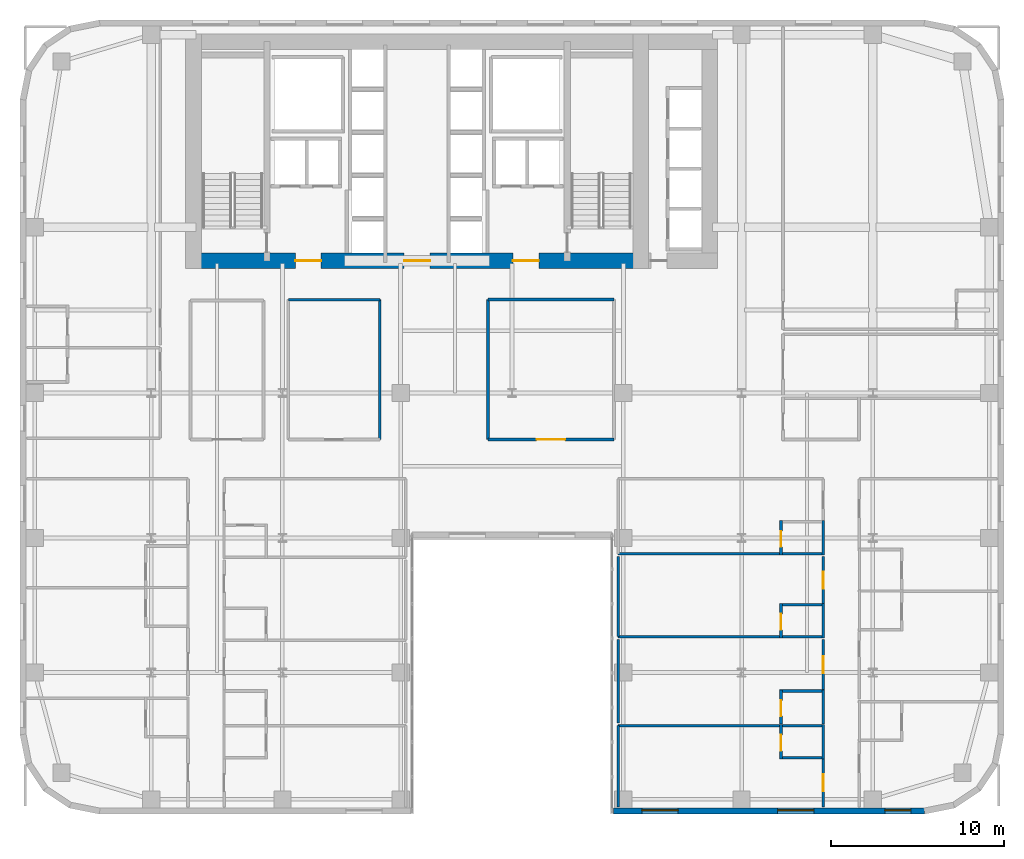
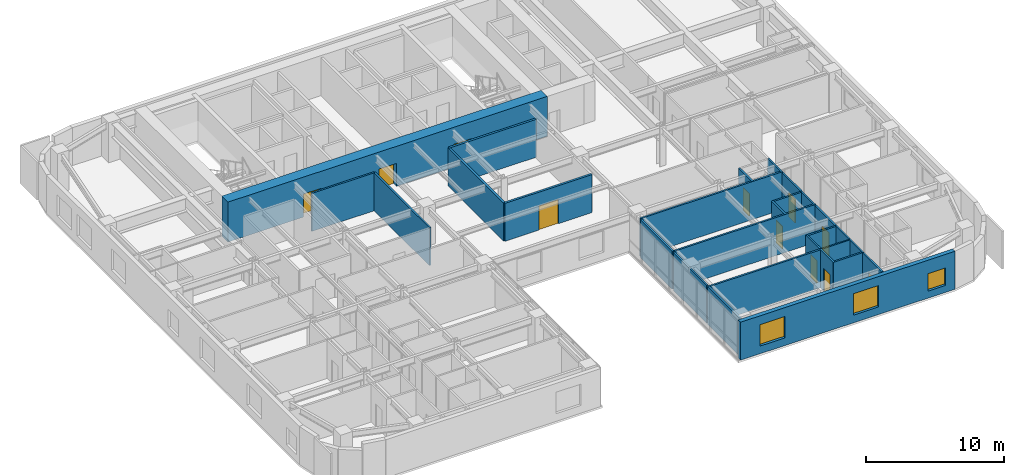
# One storey, part 12 of 17: 28 walls, 11 doors, 3 windows, 14 openings.
"""IFC4 building model written with IfcOpenShell, lengths in metres."""

import ifcopenshell
import ifcopenshell.guid

model = None  # the IFC model being written
_history = None  # IfcOwnerHistory: only IFC2X3 demands one
_inside = {}  # id of a spatial element -> (the spatial element, [elements in it])
_under = {}  # id of a project, library or spatial element -> (it, [spatial elements below it])
_declared = {}  # id of a project -> (the project, [libraries it declares])
_typed = {}  # id of a type object -> (the type object, [elements of that type])
_made_of = {}  # id of a material, layer set ... -> (it, [elements and type objects made of it])


def new_model(schema):
    """Start an empty IFC model of exactly this schema.

    Asked for "IFC4X3", IfcOpenShell would pick the latest addendum, in which some entities
    have other attributes; the version numbers below select the first issue.
    IFC2X3 requires an IfcOwnerHistory on every rooted entity: one is made here for all.
    """
    global model, _history
    if schema == "IFC4X3":
        model = ifcopenshell.file(schema_version=(4, 3, 0, 0))
    else:
        model = ifcopenshell.file(schema=schema)
    _inside.clear()
    _under.clear()
    _declared.clear()
    _typed.clear()
    _made_of.clear()
    _history = None
    if model.schema == "IFC2X3":
        org = make("IfcOrganization", Name="unknown")
        user = make(
            "IfcPersonAndOrganization",
            ThePerson=make("IfcPerson", FamilyName="unknown"),
            TheOrganization=org,
        )
        app = make(
            "IfcApplication",
            ApplicationDeveloper=org,
            Version="unknown",
            ApplicationFullName="unknown",
            ApplicationIdentifier="unknown",
        )
        _history = make(
            "IfcOwnerHistory",
            OwningUser=user,
            OwningApplication=app,
            ChangeAction="ADDED",
            CreationDate=0,
        )
    return model


def make(cls, **values):
    """One entity of the class cls with the attributes given. An attribute that is None is left unset."""
    return model.create_entity(
        cls, **{name: value for name, value in values.items() if value is not None}
    )


def rooted(cls, **values):
    """An entity with a GlobalId (a new one), such as an element, a storey or a relation."""
    return make(cls, GlobalId=ifcopenshell.guid.new(), OwnerHistory=_history, **values)


def si_unit(unit_type, name, prefix=None):
    """IfcSIUnit, for example si_unit("LENGTHUNIT", "METRE", prefix="MILLI")."""
    return make("IfcSIUnit", UnitType=unit_type, Prefix=prefix, Name=name)


def assignment(units):
    """IfcUnitAssignment: the units of a project."""
    return None if units is None else make("IfcUnitAssignment", Units=units)


def point(xyz):
    """IfcCartesianPoint."""
    return None if xyz is None else make("IfcCartesianPoint", Coordinates=xyz)


def direction(xyz):
    """IfcDirection."""
    return None if xyz is None else make("IfcDirection", DirectionRatios=xyz)


def frame(location, z_axis=None, x_axis=None):
    """IfcAxis2Placement3D, a coordinate frame: its origin and axes. An axis left out is left unset."""
    return make(
        "IfcAxis2Placement3D",
        Location=point(location),
        Axis=direction(z_axis),
        RefDirection=direction(x_axis),
    )


def frame_2d(location, x_axis=None):
    """IfcAxis2Placement2D, a coordinate frame in the plane: its origin and x axis."""
    return make(
        "IfcAxis2Placement2D", Location=point(location), RefDirection=direction(x_axis)
    )


def origin():
    """The frame at (0, 0, 0) with its axes left unset."""
    return frame((0.0, 0.0, 0.0))


def place(relative_to, where):
    """IfcLocalPlacement: puts the frame where relative to a parent placement (None: the world)."""
    return make(
        "IfcLocalPlacement", PlacementRelTo=relative_to, RelativePlacement=where
    )


def context(
    kind, dimensions, precision=None, world=None, true_north=None, identifier=None
):
    """IfcGeometricRepresentationContext, for example the 3D "Model" context."""
    return make(
        "IfcGeometricRepresentationContext",
        ContextIdentifier=identifier,
        ContextType=kind,
        CoordinateSpaceDimension=dimensions,
        Precision=precision,
        WorldCoordinateSystem=world,
        TrueNorth=true_north,
    )


def subcontext(parent, identifier, kind, view, scale=None):
    """IfcGeometricRepresentationSubContext, for example "Body" below "Model"."""
    return make(
        "IfcGeometricRepresentationSubContext",
        ContextIdentifier=identifier,
        ContextType=kind,
        ParentContext=parent,
        TargetScale=scale,
        TargetView=view,
    )


def project(units=None, contexts=None):
    """IfcProject with its units and contexts."""
    return rooted(
        "IfcProject",
        Name="project",
        RepresentationContexts=contexts,
        UnitsInContext=assignment(units),
    )


def spatial(cls, under=None, at=None, **own):
    """A site, building, storey or space (cls), placed at a placement, below another one or the project."""
    s = rooted(cls, ObjectPlacement=at, **own)
    if under is not None:
        _under.setdefault(under.id(), (under, []))[1].append(s)
    return s


def profile(cls, at=None, kind="AREA", **sizes):
    """A parametric profile (cls). Its sizes go by their IFC names, for example OverallWidth=200.0."""
    return make(cls, ProfileType=kind, Position=at, **sizes)


def rectangle(**sizes):
    """IfcRectangleProfileDef."""
    return profile("IfcRectangleProfileDef", **sizes)


def extrude(swept, where, along, depth):
    """IfcExtrudedAreaSolid: the profile swept, set in the frame where, extruded along a direction by depth."""
    return make(
        "IfcExtrudedAreaSolid",
        SweptArea=swept,
        Position=where,
        ExtrudedDirection=direction(along),
        Depth=depth,
    )


def shape(context_of_items, identifier, shape_type, items):
    """IfcShapeRepresentation: the items that make up one representation, for example the "Body"."""
    return make(
        "IfcShapeRepresentation",
        ContextOfItems=context_of_items,
        RepresentationIdentifier=identifier,
        RepresentationType=shape_type,
        Items=items,
    )


def source(mapping_origin, context_of_items, identifier, shape_type, items):
    """IfcRepresentationMap: a shape defined once, which mapped items show again and again."""
    return make(
        "IfcRepresentationMap",
        MappingOrigin=mapping_origin,
        MappedRepresentation=shape(context_of_items, identifier, shape_type, items),
    )


def transform(
    local_origin,
    x_axis=None,
    y_axis=None,
    z_axis=None,
    scale=None,
    scale2=None,
    scale3=None,
    uniform=True,
):
    """IfcCartesianTransformationOperator3D, or its non-uniform kind. x_axis, y_axis, z_axis: its Axis1, 2, 3."""
    if uniform:
        return make(
            "IfcCartesianTransformationOperator3D",
            Axis1=direction(x_axis),
            Axis2=direction(y_axis),
            LocalOrigin=point(local_origin),
            Scale=scale,
            Axis3=direction(z_axis),
        )
    return make(
        "IfcCartesianTransformationOperator3DnonUniform",
        Axis1=direction(x_axis),
        Axis2=direction(y_axis),
        LocalOrigin=point(local_origin),
        Scale=scale,
        Axis3=direction(z_axis),
        Scale2=scale2,
        Scale3=scale3,
    )


def mapped(mapping_source, mapping_target):
    """IfcMappedItem: shows the shape of a source again, moved by a transform."""
    return make(
        "IfcMappedItem", MappingSource=mapping_source, MappingTarget=mapping_target
    )


def material(Name=None, Category=None):
    """IfcMaterial."""
    return make("IfcMaterial", Name=Name, Category=Category)


def layer(
    of_material, thickness, ventilated=None, Name=None, Category=None, Priority=None
):
    """IfcMaterialLayer: one layer of a wall or slab, of a material (None: an air gap)."""
    return make(
        "IfcMaterialLayer",
        Material=of_material,
        LayerThickness=thickness,
        IsVentilated=ventilated,
        Name=Name,
        Category=Category,
        Priority=Priority,
    )


def layer_set(layers, Name=None):
    """IfcMaterialLayerSet."""
    return make("IfcMaterialLayerSet", MaterialLayers=layers, LayerSetName=Name)


def made_of(thing, what):
    """Note that an element or type object is made of a material, layer set ...; save() writes the relation."""
    if what is not None:
        _made_of.setdefault(what.id(), (what, []))[1].append(thing)
    return thing


def type_object(cls, material=None, **own):
    """A type object (cls), such as IfcWallType, which elements share."""
    return made_of(rooted(cls, **own), material)


def type_shapes(of_type, sources):
    """Give a type object the sources (RepresentationMaps) that its elements show as mapped items."""
    of_type.RepresentationMaps = sources


def element(
    cls,
    number,
    at=None,
    inside=None,
    cuts=None,
    type_object=None,
    material=None,
    context=None,
    identifier="Body",
    shape_type=None,
    held_by="IfcProductDefinitionShape",
    body=None,
    shapes=None,
    **own,
):
    """One element of the class cls, such as IfcWall. Its Tag is "e" and its number.

    at: its placement. inside: the storey or other place that contains it. cuts: it is an
    opening in that element (IfcRelVoidsElement). A single representation is given by context,
    identifier, shape_type and body (its items); several are given by shapes. held_by: the class
    of the entity that holds the representations. save() writes the other relations.
    """
    e = rooted(cls, Tag="e%d" % number, ObjectPlacement=at, **own)
    if body is not None:
        shapes = [shape(context, identifier, shape_type, body)]
    if shapes is not None:
        e.Representation = make(held_by, Representations=shapes)
    if inside is not None:
        _inside.setdefault(inside.id(), (inside, []))[1].append(e)
    if cuts is not None:
        rooted(
            "IfcRelVoidsElement", RelatingBuildingElement=cuts, RelatedOpeningElement=e
        )
    if type_object is not None:
        _typed.setdefault(type_object.id(), (type_object, []))[1].append(e)
    return made_of(e, material)


def fill(opening, filler):
    """IfcRelFillsElement: the door or window that sits in an opening."""
    return rooted(
        "IfcRelFillsElement",
        RelatingOpeningElement=opening,
        RelatedBuildingElement=filler,
    )


def aggregate(whole, parts):
    """IfcRelAggregates: a whole, such as a stair, and the parts it consists of."""
    return rooted("IfcRelAggregates", RelatingObject=whole, RelatedObjects=parts)


def save(model, path):
    """Write the relations noted so far, then the file.

    IfcRelAggregates (storeys below a building ...), IfcRelContainedInSpatialStructure (elements
    in a storey), IfcRelDefinesByType, IfcRelAssociatesMaterial and IfcRelDeclares: one each for
    every whole, place, type object, material and project.
    """
    for whole, parts in _under.values():
        aggregate(whole, parts)
    for where, things in _inside.values():
        rooted(
            "IfcRelContainedInSpatialStructure",
            RelatedElements=things,
            RelatingStructure=where,
        )
    for kind, things in _typed.values():
        rooted("IfcRelDefinesByType", RelatedObjects=things, RelatingType=kind)
    for what, things in _made_of.values():
        rooted("IfcRelAssociatesMaterial", RelatedObjects=things, RelatingMaterial=what)
    for by, libraries in _declared.values():
        rooted("IfcRelDeclares", RelatingContext=by, RelatedDefinitions=libraries)
    model.write(path)


model = new_model("IFC4")

# Units and contexts
model_context = context("Model", 3, precision=1e-05, world=origin(), true_north=direction((0.0, 1.0)))
body_context = subcontext(model_context, "Body", "Model", "MODEL_VIEW")
ifc_project = project(units=[si_unit("LENGTHUNIT", "METRE"), si_unit("AREAUNIT", "SQUARE_METRE"), si_unit("VOLUMEUNIT", "CUBIC_METRE"), si_unit("PLANEANGLEUNIT", "RADIAN"), si_unit("MASSUNIT", "GRAM", prefix="KILO")], contexts=[model_context])

# Site, building, storey
site_placement = place(None, origin())
site = spatial("IfcSite", under=ifc_project, at=site_placement, CompositionType="ELEMENT")
building_placement = place(site_placement, origin())
building = spatial("IfcBuilding", under=site, at=building_placement, Name="Tolvann Quenvar Hotel", CompositionType="ELEMENT")
storey_placement = place(building_placement, frame((0.0, 0.0, 42.64990234375)))
storey = spatial("IfcBuildingStorey", under=building, at=storey_placement, Name="L09", CompositionType="ELEMENT", Elevation=42.64990234375)

# Wall, openings, doors
ifc_material_1 = material(Name="Concrete S80 (80 MPa)", Category="concrete")
ifc_layer_1 = layer(ifc_material_1, 0.89990234375)
ifc_layer_set_1 = layer_set([ifc_layer_1], Name="Concrete S80 (80 MPa)")
wall_type_1 = type_object("IfcWallType", Name="WALL_CORE_900", PredefinedType="SHEAR", material=ifc_layer_set_1)
wall_1_placement = place(storey_placement, frame((9.60009765625, 32.050048828125, 0.0), z_axis=(0.0, 0.0, 1.0), x_axis=(1.0, 0.0, 0.0)))
wall_1 = element("IfcWall", 1, at=wall_1_placement, inside=storey, type_object=wall_type_1, Name="Rear Core S Shear Wall (L09)", PredefinedType="SHEAR", context=body_context, shape_type="SweptSolid", body=[
    extrude(rectangle(XDim=26.7998046875, YDim=0.89990234375, at=frame_2d((13.39990234375, 0.0))), origin(), (0.0, 0.0, 1.0), 3.550048828125),
])
opening_1_placement = place(wall_1_placement, frame((7.85009765625, 0.0, 0.0), z_axis=(0.0, 0.0, 1.0), x_axis=(-1.0, 0.0, 0.0)))
opening_1 = element("IfcOpeningElement", 2, at=opening_1_placement, cuts=wall_1, Name="Opening FD-60D", PredefinedType="OPENING", context=body_context, shape_type="SweptSolid", body=[
    extrude(rectangle(XDim=1.5, YDim=2.0400390625, at=frame_2d((0.75, 1.02001953125))), frame((0.0, 0.4599609375, 0.0), z_axis=(0.0, -1.0, 0.0), x_axis=(1.0, 0.0, 0.0)), (0.0, 0.0, 1.0), 0.919921875),
])
opening_2_placement = place(wall_1_placement, frame((14.14990234375, 0.0, 0.0), z_axis=(0.0, 0.0, 1.0), x_axis=(-1.0, 0.0, 0.0)))
opening_2 = element("IfcOpeningElement", 3, at=opening_2_placement, cuts=wall_1, Name="Opening FD-60D", PredefinedType="OPENING", context=body_context, shape_type="SweptSolid", body=[
    extrude(rectangle(XDim=1.5, YDim=2.0400390625, at=frame_2d((0.75, 1.02001953125))), frame((0.0, 0.4599609375, 0.0), z_axis=(0.0, -1.0, 0.0), x_axis=(1.0, 0.0, 0.0)), (0.0, 0.0, 1.0), 0.919921875),
])
opening_3_placement = place(wall_1_placement, frame((20.449951171875, 0.0, 0.0), z_axis=(0.0, 0.0, 1.0), x_axis=(-1.0, 0.0, 0.0)))
opening_3 = element("IfcOpeningElement", 4, at=opening_3_placement, cuts=wall_1, Name="Opening FD-60D", PredefinedType="OPENING", context=body_context, shape_type="SweptSolid", body=[
    extrude(rectangle(XDim=1.5, YDim=2.0400390625, at=frame_2d((0.75, 1.02001953125))), frame((0.0, 0.4599609375, 0.0), z_axis=(0.0, -1.0, 0.0), x_axis=(1.0, 0.0, 0.0)), (0.0, 0.0, 1.0), 0.919921875),
])
ifc_material_2 = material(Name="Solid-core American oak acoustic fire door leaf in steel frame", Category="steel")
door_type_1 = type_object("IfcDoorType", Name="DOOR_FIRE_LOBBY_1500", OperationType="NOTDEFINED", PredefinedType="DOOR", material=ifc_material_2)
shared_shape_1 = source(origin(), body_context, "Body", "SweptSolid", [
    extrude(rectangle(XDim=1.5, YDim=2.0400390625, at=frame_2d((0.75, 1.02001953125))), frame((0.0, 0.02490234375, 0.0), z_axis=(0.0, -1.0, 0.0), x_axis=(1.0, 0.0, 0.0)), (0.0, 0.0, 1.0), 0.050048828125),
])
type_shapes(door_type_1, [shared_shape_1])
door_1_placement = place(opening_1_placement, origin())
door_1 = element("IfcDoor", 5, at=door_1_placement, inside=storey, type_object=door_type_1, Name="Core Lobby Fire Door FFW (L09)", OperationType="DOUBLE_DOOR_SINGLE_SWING", OverallHeight=2.0400390625, OverallWidth=1.5, PredefinedType="DOOR", context=body_context, shape_type="MappedRepresentation", body=[
    mapped(shared_shape_1, transform((0.0, 0.0, 0.0), x_axis=(1.0, 0.0, 0.0), y_axis=(0.0, 1.0, 0.0), z_axis=(0.0, 0.0, 1.0), scale=1.0)),
])
fill(opening_1, door_1)
door_2_placement = place(opening_2_placement, origin())
door_2 = element("IfcDoor", 6, at=door_2_placement, inside=storey, type_object=door_type_1, Name="Core Lobby Fire Door CLOB (L09)", OperationType="DOUBLE_DOOR_SINGLE_SWING", OverallHeight=2.0400390625, OverallWidth=1.5, PredefinedType="DOOR", context=body_context, shape_type="MappedRepresentation", body=[
    mapped(shared_shape_1, transform((0.0, 0.0, 0.0), x_axis=(1.0, 0.0, 0.0), y_axis=(0.0, 1.0, 0.0), z_axis=(0.0, 0.0, 1.0), scale=1.0)),
])
fill(opening_2, door_2)
door_3_placement = place(opening_3_placement, origin())
door_3 = element("IfcDoor", 7, at=door_3_placement, inside=storey, type_object=door_type_1, Name="Core Lobby Fire Door FFE (L09)", OperationType="DOUBLE_DOOR_SINGLE_SWING", OverallHeight=2.0400390625, OverallWidth=1.5, PredefinedType="DOOR", context=body_context, shape_type="MappedRepresentation", body=[
    mapped(shared_shape_1, transform((0.0, 0.0, 0.0), x_axis=(1.0, 0.0, 0.0), y_axis=(0.0, 1.0, 0.0), z_axis=(0.0, 0.0, 1.0), scale=1.0)),
])
fill(opening_3, door_3)

# Wall, openings, windows
ifc_material_3 = material(Name="Kiln-fired red and buff architectural clay brickwork and terracotta masonry", Category="masonry")
ifc_layer_2 = layer(ifc_material_3, 0.35009765625)
ifc_layer_set_2 = layer_set([ifc_layer_2], Name="Kiln-fired red and buff architectural clay brickwork and terracotta masonry")
wall_type_2 = type_object("IfcWallType", Name="WALL_EXT_BRICK_350", PredefinedType="SOLIDWALL", material=ifc_layer_set_2)
wall_2_placement = place(storey_placement, frame((34.375, 0.175048828125, 0.0), z_axis=(0.0, 0.0, 1.0), x_axis=(1.0, 0.0, 0.0)))
wall_2 = element("IfcWall", 8, at=wall_2_placement, inside=storey, type_object=wall_type_2, Name="Exterior Chicago Brick Wall L09-E08", PredefinedType="SOLIDWALL", context=body_context, shape_type="SweptSolid", body=[
    extrude(rectangle(XDim=18.0078125, YDim=0.35009765625, at=frame_2d((9.00390625, 0.0))), origin(), (0.0, 0.0, 1.0), 3.3701171875),
])
opening_4_placement = place(wall_2_placement, frame((1.65087890625, 0.0, 0.679931640625)))
opening_4 = element("IfcOpeningElement", 9, at=opening_4_placement, cuts=wall_2, Name="Opening W-02", PredefinedType="OPENING", context=body_context, shape_type="SweptSolid", body=[
    extrude(rectangle(XDim=2.10009765625, YDim=1.89990234375, at=frame_2d((1.050048828125, 0.949951171875))), frame((0.0, 0.18505859375, 0.0), z_axis=(0.0, -1.0, 0.0), x_axis=(1.0, 0.0, 0.0)), (0.0, 0.0, 1.0), 0.3701171875),
])
opening_5_placement = place(wall_2_placement, frame((9.5048828125, 0.0, 0.679931640625)))
opening_5 = element("IfcOpeningElement", 10, at=opening_5_placement, cuts=wall_2, Name="Opening W-02", PredefinedType="OPENING", context=body_context, shape_type="SweptSolid", body=[
    extrude(rectangle(XDim=2.10009765625, YDim=1.89990234375, at=frame_2d((1.050048828125, 0.949951171875))), frame((0.0, 0.18505859375, 0.0), z_axis=(0.0, -1.0, 0.0), x_axis=(1.0, 0.0, 0.0)), (0.0, 0.0, 1.0), 0.3701171875),
])
opening_6_placement = place(wall_2_placement, frame((15.72509765625, 0.0, 0.6201171875)))
opening_6 = element("IfcOpeningElement", 11, at=opening_6_placement, cuts=wall_2, Name="Opening W-08", PredefinedType="OPENING", context=body_context, shape_type="SweptSolid", body=[
    extrude(rectangle(XDim=1.5, YDim=1.550048828125, at=frame_2d((0.75, 0.77490234375))), frame((0.0, 0.18505859375, 0.0), z_axis=(0.0, -1.0, 0.0), x_axis=(1.0, 0.0, 0.0)), (0.0, 0.0, 1.0), 0.3701171875),
])
ifc_material_4 = material(Name="Thermally broken bronze-anodised aluminium frame with double low-E glazing", Category="aluminium")
window_type_1 = type_object("IfcWindowType", Name="WIN_COR_1500x2050", PartitioningType="SINGLE_PANEL", PredefinedType="WINDOW", material=ifc_material_4)
shared_shape_2 = source(origin(), body_context, "Body", "SweptSolid", [
    extrude(rectangle(XDim=1.5, YDim=1.550048828125, at=frame_2d((0.75, 0.77490234375))), frame((0.0, 0.090087890625, 0.0), z_axis=(0.0, -1.0, 0.0), x_axis=(1.0, 0.0, 0.0)), (0.0, 0.0, 1.0), 0.06005859375),
])
type_shapes(window_type_1, [shared_shape_2])
window_1_placement = place(opening_6_placement, origin())
window_1 = element("IfcWindow", 12, at=window_1_placement, inside=storey, type_object=window_type_1, Name="Chicago Window W-08 (EW-L09-E08-WD03)", OverallHeight=1.550048828125, OverallWidth=1.5, PartitioningType="SINGLE_PANEL", PredefinedType="WINDOW", context=body_context, shape_type="MappedRepresentation", body=[
    mapped(shared_shape_2, transform((0.0, 0.0, 0.0), x_axis=(1.0, 0.0, 0.0), y_axis=(0.0, 1.0, 0.0), z_axis=(0.0, 0.0, 1.0), scale=1.0)),
])
fill(opening_6, window_1)
window_type_2 = type_object("IfcWindowType", Name="WIN_CHI_2100x2050", PartitioningType="TRIPLE_PANEL_HORIZONTAL", PredefinedType="WINDOW", material=ifc_material_4)
shared_shape_3 = source(origin(), body_context, "Body", "SweptSolid", [
    extrude(rectangle(XDim=2.10009765625, YDim=1.89990234375, at=frame_2d((1.050048828125, 0.949951171875))), frame((0.0, 0.090087890625, 0.0), z_axis=(0.0, -1.0, 0.0), x_axis=(1.0, 0.0, 0.0)), (0.0, 0.0, 1.0), 0.06005859375),
])
type_shapes(window_type_2, [shared_shape_3])
window_2_placement = place(opening_4_placement, origin())
window_2 = element("IfcWindow", 13, at=window_2_placement, inside=storey, type_object=window_type_2, Name="Chicago Window W-02 (EW-L09-E08-W01)", OverallHeight=1.89990234375, OverallWidth=2.10009765625, PartitioningType="TRIPLE_PANEL_HORIZONTAL", PredefinedType="WINDOW", context=body_context, shape_type="MappedRepresentation", body=[
    mapped(shared_shape_3, transform((0.0, 0.0, 0.0), x_axis=(1.0, 0.0, 0.0), y_axis=(0.0, 1.0, 0.0), z_axis=(0.0, 0.0, 1.0), scale=1.0)),
])
fill(opening_4, window_2)
window_3_placement = place(opening_5_placement, origin())
window_3 = element("IfcWindow", 14, at=window_3_placement, inside=storey, type_object=window_type_2, Name="Chicago Window W-02 (EW-L09-E08-W02)", OverallHeight=1.89990234375, OverallWidth=2.10009765625, PartitioningType="TRIPLE_PANEL_HORIZONTAL", PredefinedType="WINDOW", context=body_context, shape_type="MappedRepresentation", body=[
    mapped(shared_shape_3, transform((0.0, 0.0, 0.0), x_axis=(1.0, 0.0, 0.0), y_axis=(0.0, 1.0, 0.0), z_axis=(0.0, 0.0, 1.0), scale=1.0)),
])
fill(opening_5, window_3)

# Wall, opening, door
ifc_material_5 = material(Name="Acoustic twin-stud fire-rated gypsum plasterboard partition")
ifc_layer_3 = layer(ifc_material_5, 0.179931640625)
ifc_layer_set_3 = layer_set([ifc_layer_3], Name="Acoustic twin-stud fire-rated gypsum plasterboard partition")
wall_type_3 = type_object("IfcWallType", Name="WALL_PART_ACOUSTIC_180", PredefinedType="PARTITIONING", material=ifc_layer_set_3)
wall_3_placement = place(storey_placement, frame((27.10009765625, 21.699951171875, 0.0), z_axis=(0.0, 0.0, 1.0), x_axis=(1.0, 0.0, 0.0)))
wall_3 = element("IfcWall", 15, at=wall_3_placement, inside=storey, type_object=wall_type_3, Name="Interior Partition PT-SPC-L09-MSP-C-S", PredefinedType="PARTITIONING", context=body_context, shape_type="SweptSolid", body=[
    extrude(rectangle(XDim=7.2998046875, YDim=0.179931640625, at=frame_2d((3.64990234375, 0.0))), origin(), (0.0, 0.0, 1.0), 3.3701171875),
])
opening_7_placement = place(wall_3_placement, frame((2.824951171875, 0.0, 0.0)))
opening_7 = element("IfcOpeningElement", 16, at=opening_7_placement, cuts=wall_3, Name="Opening AD-01", PredefinedType="OPENING", context=body_context, shape_type="SweptSolid", body=[
    extrude(rectangle(XDim=1.64990234375, YDim=2.14990234375, at=frame_2d((0.824951171875, 1.074951171875))), frame((0.0, 0.10009765625, 0.0), z_axis=(0.0, -1.0, 0.0), x_axis=(1.0, 0.0, 0.0)), (0.0, 0.0, 1.0), 0.199951171875),
])
door_type_2 = type_object("IfcDoorType", Name="DOOR_SALON_1650", OperationType="NOTDEFINED", PredefinedType="DOOR", material=ifc_material_2)
shared_shape_4 = source(origin(), body_context, "Body", "SweptSolid", [
    extrude(rectangle(XDim=1.64990234375, YDim=2.14990234375, at=frame_2d((0.824951171875, 1.074951171875))), frame((0.0, 0.02490234375, 0.0), z_axis=(0.0, -1.0, 0.0), x_axis=(1.0, 0.0, 0.0)), (0.0, 0.0, 1.0), 0.050048828125),
])
type_shapes(door_type_2, [shared_shape_4])
door_4_placement = place(opening_7_placement, origin())
door_4 = element("IfcDoor", 17, at=door_4_placement, inside=storey, type_object=door_type_2, Name="Interior Door DOOR-SPC-L09-MSP-C", OperationType="DOUBLE_DOOR_SINGLE_SWING", OverallHeight=2.14990234375, OverallWidth=1.64990234375, PredefinedType="DOOR", context=body_context, shape_type="MappedRepresentation", body=[
    mapped(shared_shape_4, transform((0.0, 0.0, 0.0), x_axis=(1.0, 0.0, 0.0), y_axis=(0.0, 1.0, 0.0), z_axis=(0.0, 0.0, 1.0), scale=1.0)),
])
fill(opening_7, door_4)

# Walls
wall_4_placement = place(storey_placement, frame((27.10009765625, 29.800048828125, 0.0), z_axis=(0.0, 0.0, 1.0), x_axis=(1.0, 0.0, 0.0)))
element("IfcWall", 18, at=wall_4_placement, inside=storey, type_object=wall_type_3, Name="Interior Partition PT-SPC-L09-MSP-C-N", PredefinedType="PARTITIONING", context=body_context, shape_type="SweptSolid", body=[
    extrude(rectangle(XDim=7.2998046875, YDim=0.179931640625, at=frame_2d((3.64990234375, 0.0))), origin(), (0.0, 0.0, 1.0), 3.3701171875),
])
wall_5_placement = place(storey_placement, frame((27.10009765625, 21.699951171875, 0.0), z_axis=(0.0, 0.0, 1.0), x_axis=(0.0, 1.0, 0.0)))
element("IfcWall", 19, at=wall_5_placement, inside=storey, type_object=wall_type_3, Name="Interior Partition PT-SPC-L09-MSP-C-W", PredefinedType="PARTITIONING", context=body_context, shape_type="SweptSolid", body=[
    extrude(rectangle(XDim=8.10009765625, YDim=0.179931640625, at=frame_2d((4.050048828125, 0.0))), origin(), (0.0, 0.0, 1.0), 3.3701171875),
])
ifc_material_6 = material(Name="Moisture-resistant acoustic plumbing wall assembly")
ifc_layer_4 = layer(ifc_material_6, 0.1201171875)
ifc_layer_set_4 = layer_set([ifc_layer_4], Name="Moisture-resistant acoustic plumbing wall assembly")
wall_type_4 = type_object("IfcWallType", Name="WALL_PART_BATH_120", PredefinedType="PLUMBINGWALL", material=ifc_layer_set_4)
wall_6_placement = place(storey_placement, frame((44.010009765625, 5.1201171875, 0.0), z_axis=(0.0, 0.0, 1.0), x_axis=(1.0, 0.0, 0.0)))
element("IfcWall", 20, at=wall_6_placement, inside=storey, type_object=wall_type_4, Name="Non-Rated Plumbing Partition PT-SPC-L09-ENS-EI01-N", PredefinedType="PLUMBINGWALL", context=body_context, shape_type="SweptSolid", body=[
    extrude(rectangle(XDim=2.590087890625, YDim=0.1201171875, at=frame_2d((1.294921875, 0.0))), origin(), (0.0, 0.0, 1.0), 3.3701171875),
])
for number, where, z_axis, x_axis, name in (
    (21, (46.530029296875, 3.199951171875, 0.0), (0.0, 0.0, 1.0), (0.0, 1.0, 0.0), "Non-Rated Plumbing Partition PT-SPC-L09-ENS-EI01-E"),
    (22, (46.530029296875, 5.2099609375, 0.0), (0.0, 0.0, 1.0), (0.0, 1.0, 0.0), "Non-Rated Plumbing Partition PT-SPC-L09-ENS-EI02-E"),
    (23, (46.530029296875, 10.2099609375, 0.0), (0.0, 0.0, 1.0), (0.0, 1.0, 0.0), "Non-Rated Plumbing Partition PT-SPC-L09-ENS-EI03-E"),
    (24, (46.530029296875, 15.010009765625, 0.0), (0.0, 0.0, 1.0), (0.0, 1.0, 0.0), "Non-Rated Plumbing Partition PT-SPC-L09-ENS-EI04-E"),
):
    element("IfcWall", number, at=place(storey_placement, frame(where, z_axis=z_axis, x_axis=x_axis)), inside=storey, type_object=wall_type_4, Name=name, PredefinedType="PLUMBINGWALL", context=body_context, shape_type="SweptSolid", body=[
        extrude(rectangle(XDim=1.989990234375, YDim=0.1201171875, at=frame_2d((0.9951171875, 0.0))), origin(), (0.0, 0.0, 1.0), 3.3701171875),
    ])

# Wall, opening, door
ifc_layer_5 = layer(ifc_material_5, 0.14990234375)
ifc_layer_set_5 = layer_set([ifc_layer_5], Name="Acoustic twin-stud fire-rated gypsum plasterboard partition")
wall_type_5 = type_object("IfcWallType", Name="WALL_PART_SUITE_150", PredefinedType="PARTITIONING", material=ifc_layer_set_5)
wall_7_placement = place(storey_placement, frame((44.080078125, 3.199951171875, 0.0), z_axis=(0.0, 0.0, 1.0), x_axis=(0.0, 1.0, 0.0)))
wall_7 = element("IfcWall", 25, at=wall_7_placement, inside=storey, type_object=wall_type_5, Name="Interior Partition PT-SPC-L09-ENS-EI01-ENT", PredefinedType="PARTITIONING", context=body_context, shape_type="SweptSolid", body=[
    extrude(rectangle(XDim=1.989990234375, YDim=0.14990234375, at=frame_2d((0.9951171875, 0.0))), origin(), (0.0, 0.0, 1.0), 3.3701171875),
])
opening_8_placement = place(wall_7_placement, frame((0.465087890625, 0.0, 0.0)))
opening_8 = element("IfcOpeningElement", 26, at=opening_8_placement, cuts=wall_7, Name="Opening WD-01", PredefinedType="OPENING", context=body_context, shape_type="SweptSolid", body=[
    extrude(rectangle(XDim=0.919921875, YDim=2.010009765625, at=frame_2d((0.4599609375, 1.0048828125))), frame((0.0, 0.0849609375, 0.0), z_axis=(0.0, -1.0, 0.0), x_axis=(1.0, 0.0, 0.0)), (0.0, 0.0, 1.0), 0.169921875),
])
door_type_3 = type_object("IfcDoorType", Name="DOOR_WC_920", OperationType="NOTDEFINED", PredefinedType="DOOR", material=ifc_material_2)
shared_shape_5 = source(origin(), body_context, "Body", "SweptSolid", [
    extrude(rectangle(XDim=0.919921875, YDim=2.010009765625, at=frame_2d((0.4599609375, 1.0048828125))), frame((0.0, 0.02490234375, 0.0), z_axis=(0.0, -1.0, 0.0), x_axis=(1.0, 0.0, 0.0)), (0.0, 0.0, 1.0), 0.050048828125),
])
type_shapes(door_type_3, [shared_shape_5])
door_5_placement = place(opening_8_placement, origin())
door_5 = element("IfcDoor", 27, at=door_5_placement, inside=storey, type_object=door_type_3, Name="Interior Door DOOR-SPC-L09-ENS-EI01", OperationType="SINGLE_SWING_LEFT", OverallHeight=2.010009765625, OverallWidth=0.919921875, PredefinedType="DOOR", context=body_context, shape_type="MappedRepresentation", body=[
    mapped(shared_shape_5, transform((0.0, 0.0, 0.0), x_axis=(1.0, 0.0, 0.0), y_axis=(0.0, 1.0, 0.0), z_axis=(0.0, 0.0, 1.0), scale=1.0)),
])
fill(opening_8, door_5)

# Wall
wall_8_placement = place(storey_placement, frame((44.010009765625, 3.27001953125, 0.0), z_axis=(0.0, 0.0, 1.0), x_axis=(1.0, 0.0, 0.0)))
element("IfcWall", 28, at=wall_8_placement, inside=storey, type_object=wall_type_5, Name="Interior Partition PT-SPC-L09-ENS-EI01-S", PredefinedType="PARTITIONING", context=body_context, shape_type="SweptSolid", body=[
    extrude(rectangle(XDim=2.590087890625, YDim=0.14990234375, at=frame_2d((1.294921875, 0.0))), origin(), (0.0, 0.0, 1.0), 3.3701171875),
])

# Wall, opening, door
wall_9_placement = place(storey_placement, frame((44.080078125, 5.2099609375, 0.0), z_axis=(0.0, 0.0, 1.0), x_axis=(0.0, 1.0, 0.0)))
wall_9 = element("IfcWall", 29, at=wall_9_placement, inside=storey, type_object=wall_type_5, Name="Interior Partition PT-SPC-L09-ENS-EI02-ENT", PredefinedType="PARTITIONING", context=body_context, shape_type="SweptSolid", body=[
    extrude(rectangle(XDim=1.989990234375, YDim=0.14990234375, at=frame_2d((0.9951171875, 0.0))), origin(), (0.0, 0.0, 1.0), 3.3701171875),
])
opening_9_placement = place(wall_9_placement, frame((0.465087890625, 0.0, 0.0)))
opening_9 = element("IfcOpeningElement", 30, at=opening_9_placement, cuts=wall_9, Name="Opening WD-01", PredefinedType="OPENING", context=body_context, shape_type="SweptSolid", body=[
    extrude(rectangle(XDim=0.919921875, YDim=2.010009765625, at=frame_2d((0.4599609375, 1.0048828125))), frame((0.0, 0.0849609375, 0.0), z_axis=(0.0, -1.0, 0.0), x_axis=(1.0, 0.0, 0.0)), (0.0, 0.0, 1.0), 0.169921875),
])
door_6_placement = place(opening_9_placement, origin())
door_6 = element("IfcDoor", 31, at=door_6_placement, inside=storey, type_object=door_type_3, Name="Interior Door DOOR-SPC-L09-ENS-EI02", OperationType="SINGLE_SWING_RIGHT", OverallHeight=2.010009765625, OverallWidth=0.919921875, PredefinedType="DOOR", context=body_context, shape_type="MappedRepresentation", body=[
    mapped(shared_shape_5, transform((0.0, 0.0, 0.0), x_axis=(1.0, 0.0, 0.0), y_axis=(0.0, 1.0, 0.0), z_axis=(0.0, 0.0, 1.0), scale=1.0)),
])
fill(opening_9, door_6)

# Wall
wall_10_placement = place(storey_placement, frame((44.010009765625, 7.1298828125, 0.0), z_axis=(0.0, 0.0, 1.0), x_axis=(1.0, 0.0, 0.0)))
element("IfcWall", 32, at=wall_10_placement, inside=storey, type_object=wall_type_5, Name="Interior Partition PT-SPC-L09-ENS-EI02-N", PredefinedType="PARTITIONING", context=body_context, shape_type="SweptSolid", body=[
    extrude(rectangle(XDim=2.590087890625, YDim=0.14990234375, at=frame_2d((1.294921875, 0.0))), origin(), (0.0, 0.0, 1.0), 3.3701171875),
])

# Wall, opening, door
wall_11_placement = place(storey_placement, frame((44.080078125, 10.2099609375, 0.0), z_axis=(0.0, 0.0, 1.0), x_axis=(0.0, 1.0, 0.0)))
wall_11 = element("IfcWall", 33, at=wall_11_placement, inside=storey, type_object=wall_type_5, Name="Interior Partition PT-SPC-L09-ENS-EI03-ENT", PredefinedType="PARTITIONING", context=body_context, shape_type="SweptSolid", body=[
    extrude(rectangle(XDim=1.989990234375, YDim=0.14990234375, at=frame_2d((0.9951171875, 0.0))), origin(), (0.0, 0.0, 1.0), 3.3701171875),
])
opening_10_placement = place(wall_11_placement, frame((0.465087890625, 0.0, 0.0)))
opening_10 = element("IfcOpeningElement", 34, at=opening_10_placement, cuts=wall_11, Name="Opening WD-01", PredefinedType="OPENING", context=body_context, shape_type="SweptSolid", body=[
    extrude(rectangle(XDim=0.919921875, YDim=2.010009765625, at=frame_2d((0.4599609375, 1.0048828125))), frame((0.0, 0.0849609375, 0.0), z_axis=(0.0, -1.0, 0.0), x_axis=(1.0, 0.0, 0.0)), (0.0, 0.0, 1.0), 0.169921875),
])
door_7_placement = place(opening_10_placement, origin())
door_7 = element("IfcDoor", 35, at=door_7_placement, inside=storey, type_object=door_type_3, Name="Interior Door DOOR-SPC-L09-ENS-EI03", OperationType="SINGLE_SWING_LEFT", OverallHeight=2.010009765625, OverallWidth=0.919921875, PredefinedType="DOOR", context=body_context, shape_type="MappedRepresentation", body=[
    mapped(shared_shape_5, transform((0.0, 0.0, 0.0), x_axis=(1.0, 0.0, 0.0), y_axis=(0.0, 1.0, 0.0), z_axis=(0.0, 0.0, 1.0), scale=1.0)),
])
fill(opening_10, door_7)

# Walls
wall_12_placement = place(storey_placement, frame((34.64990234375, 10.280029296875, 0.0), z_axis=(0.0, 0.0, 1.0), x_axis=(1.0, 0.0, 0.0)))
element("IfcWall", 36, at=wall_12_placement, inside=storey, type_object=wall_type_5, Name="Interior Partition PT-SPC-L09-ENS-EI03-S", PredefinedType="PARTITIONING", context=body_context, shape_type="SweptSolid", body=[
    extrude(rectangle(XDim=11.9501953125, YDim=0.14990234375, at=frame_2d((5.97509765625, 0.0))), origin(), (0.0, 0.0, 1.0), 3.3701171875),
])
wall_13_placement = place(storey_placement, frame((44.010009765625, 12.1298828125, 0.0), z_axis=(0.0, 0.0, 1.0), x_axis=(1.0, 0.0, 0.0)))
element("IfcWall", 37, at=wall_13_placement, inside=storey, type_object=wall_type_5, Name="Interior Partition PT-SPC-L09-ENS-EI03-N", PredefinedType="PARTITIONING", context=body_context, shape_type="SweptSolid", body=[
    extrude(rectangle(XDim=2.590087890625, YDim=0.14990234375, at=frame_2d((1.294921875, 0.0))), origin(), (0.0, 0.0, 1.0), 3.3701171875),
])

# Wall, opening, door
wall_14_placement = place(storey_placement, frame((44.080078125, 15.010009765625, 0.0), z_axis=(0.0, 0.0, 1.0), x_axis=(0.0, 1.0, 0.0)))
wall_14 = element("IfcWall", 38, at=wall_14_placement, inside=storey, type_object=wall_type_5, Name="Interior Partition PT-SPC-L09-ENS-EI04-ENT", PredefinedType="PARTITIONING", context=body_context, shape_type="SweptSolid", body=[
    extrude(rectangle(XDim=1.989990234375, YDim=0.14990234375, at=frame_2d((0.9951171875, 0.0))), origin(), (0.0, 0.0, 1.0), 3.3701171875),
])
opening_11_placement = place(wall_14_placement, frame((0.465087890625, 0.0, 0.0)))
opening_11 = element("IfcOpeningElement", 39, at=opening_11_placement, cuts=wall_14, Name="Opening WD-01", PredefinedType="OPENING", context=body_context, shape_type="SweptSolid", body=[
    extrude(rectangle(XDim=0.919921875, YDim=2.010009765625, at=frame_2d((0.4599609375, 1.0048828125))), frame((0.0, 0.0849609375, 0.0), z_axis=(0.0, -1.0, 0.0), x_axis=(1.0, 0.0, 0.0)), (0.0, 0.0, 1.0), 0.169921875),
])
door_8_placement = place(opening_11_placement, origin())
door_8 = element("IfcDoor", 40, at=door_8_placement, inside=storey, type_object=door_type_3, Name="Interior Door DOOR-SPC-L09-ENS-EI04", OperationType="SINGLE_SWING_RIGHT", OverallHeight=2.010009765625, OverallWidth=0.919921875, PredefinedType="DOOR", context=body_context, shape_type="MappedRepresentation", body=[
    mapped(shared_shape_5, transform((0.0, 0.0, 0.0), x_axis=(1.0, 0.0, 0.0), y_axis=(0.0, 1.0, 0.0), z_axis=(0.0, 0.0, 1.0), scale=1.0)),
])
fill(opening_11, door_8)

# Wall
wall_15_placement = place(storey_placement, frame((34.64990234375, 15.080078125, 0.0), z_axis=(0.0, 0.0, 1.0), x_axis=(1.0, 0.0, 0.0)))
element("IfcWall", 41, at=wall_15_placement, inside=storey, type_object=wall_type_5, Name="Interior Partition PT-SPC-L09-ENS-EI04-S", PredefinedType="PARTITIONING", context=body_context, shape_type="SweptSolid", body=[
    extrude(rectangle(XDim=11.9501953125, YDim=0.14990234375, at=frame_2d((5.97509765625, 0.0))), origin(), (0.0, 0.0, 1.0), 3.3701171875),
])

# Wall, opening, door
wall_16_placement = place(storey_placement, frame((46.530029296875, 0.405029296875, 0.0), z_axis=(0.0, 0.0, 1.0), x_axis=(0.0, 1.0, 0.0)))
wall_16 = element("IfcWall", 42, at=wall_16_placement, inside=storey, type_object=wall_type_5, Name="Interior Partition PT-SPC-L09-RM-EI01-ENT", PredefinedType="PARTITIONING", context=body_context, shape_type="SweptSolid", body=[
    extrude(rectangle(XDim=2.784912109375, YDim=0.14990234375, at=frame_2d((1.392578125, 0.0))), origin(), (0.0, 0.0, 1.0), 3.3701171875),
])
opening_12_placement = place(wall_16_placement, frame((0.909912109375, 0.0, 0.0)))
opening_12 = element("IfcOpeningElement", 43, at=opening_12_placement, cuts=wall_16, Name="Opening SD-01", PredefinedType="OPENING", context=body_context, shape_type="SweptSolid", body=[
    extrude(rectangle(XDim=0.97998046875, YDim=2.1201171875, at=frame_2d((0.489990234375, 1.06005859375))), frame((0.0, 0.0849609375, 0.0), z_axis=(0.0, -1.0, 0.0), x_axis=(1.0, 0.0, 0.0)), (0.0, 0.0, 1.0), 0.169921875),
])
door_type_4 = type_object("IfcDoorType", Name="DOOR_SUITE_980", OperationType="NOTDEFINED", PredefinedType="DOOR", material=ifc_material_2)
shared_shape_6 = source(origin(), body_context, "Body", "SweptSolid", [
    extrude(rectangle(XDim=0.97998046875, YDim=2.1201171875, at=frame_2d((0.489990234375, 1.06005859375))), frame((0.0, 0.02490234375, 0.0), z_axis=(0.0, -1.0, 0.0), x_axis=(1.0, 0.0, 0.0)), (0.0, 0.0, 1.0), 0.050048828125),
])
type_shapes(door_type_4, [shared_shape_6])
door_9_placement = place(opening_12_placement, origin())
door_9 = element("IfcDoor", 44, at=door_9_placement, inside=storey, type_object=door_type_4, Name="Interior Door DOOR-SPC-L09-RM-EI01", OperationType="SINGLE_SWING_RIGHT", OverallHeight=2.1201171875, OverallWidth=0.97998046875, PredefinedType="DOOR", context=body_context, shape_type="MappedRepresentation", body=[
    mapped(shared_shape_6, transform((0.0, 0.0, 0.0), x_axis=(1.0, 0.0, 0.0), y_axis=(0.0, 1.0, 0.0), z_axis=(0.0, 0.0, 1.0), scale=1.0)),
])
fill(opening_12, door_9)

# Walls
wall_17_placement = place(storey_placement, frame((34.64990234375, 5.1201171875, 0.0), z_axis=(0.0, 0.0, 1.0), x_axis=(1.0, 0.0, 0.0)))
element("IfcWall", 45, at=wall_17_placement, inside=storey, type_object=wall_type_5, Name="Interior Partition PT-SPC-L09-RM-EI01-E5", PredefinedType="PARTITIONING", context=body_context, shape_type="SweptSolid", body=[
    extrude(rectangle(XDim=9.41015625, YDim=0.14990234375, at=frame_2d((4.705078125, 0.0))), origin(), (0.0, 0.0, 1.0), 3.3701171875),
])
wall_18_placement = place(storey_placement, frame((34.64990234375, 0.405029296875, 0.0), z_axis=(0.0, 0.0, 1.0), x_axis=(0.0, 1.0, 0.0)))
element("IfcWall", 46, at=wall_18_placement, inside=storey, type_object=wall_type_5, Name="Interior Partition PT-SPC-L09-RM-EI01-E6", PredefinedType="PARTITIONING", context=body_context, shape_type="SweptSolid", body=[
    extrude(rectangle(XDim=4.715087890625, YDim=0.14990234375, at=frame_2d((2.357421875, 0.0))), origin(), (0.0, 0.0, 1.0), 3.3701171875),
])

# Wall, opening, door
wall_19_placement = place(storey_placement, frame((46.530029296875, 7.2099609375, 0.0), z_axis=(0.0, 0.0, 1.0), x_axis=(0.0, 1.0, 0.0)))
wall_19 = element("IfcWall", 47, at=wall_19_placement, inside=storey, type_object=wall_type_5, Name="Interior Partition PT-SPC-L09-RM-EI02-ENT", PredefinedType="PARTITIONING", context=body_context, shape_type="SweptSolid", body=[
    extrude(rectangle(XDim=2.91015625, YDim=0.14990234375, at=frame_2d((1.455078125, 0.0))), origin(), (0.0, 0.0, 1.0), 3.3701171875),
])
opening_13_placement = place(wall_19_placement, frame((0.945068359375, 0.0, 0.0)))
opening_13 = element("IfcOpeningElement", 48, at=opening_13_placement, cuts=wall_19, Name="Opening SD-01", PredefinedType="OPENING", context=body_context, shape_type="SweptSolid", body=[
    extrude(rectangle(XDim=0.97998046875, YDim=2.1201171875, at=frame_2d((0.489990234375, 1.06005859375))), frame((0.0, 0.0849609375, 0.0), z_axis=(0.0, -1.0, 0.0), x_axis=(1.0, 0.0, 0.0)), (0.0, 0.0, 1.0), 0.169921875),
])
door_10_placement = place(opening_13_placement, origin())
door_10 = element("IfcDoor", 49, at=door_10_placement, inside=storey, type_object=door_type_4, Name="Interior Door DOOR-SPC-L09-RM-EI02", OperationType="SINGLE_SWING_LEFT", OverallHeight=2.1201171875, OverallWidth=0.97998046875, PredefinedType="DOOR", context=body_context, shape_type="MappedRepresentation", body=[
    mapped(shared_shape_6, transform((0.0, 0.0, 0.0), x_axis=(1.0, 0.0, 0.0), y_axis=(0.0, 1.0, 0.0), z_axis=(0.0, 0.0, 1.0), scale=1.0)),
])
fill(opening_13, door_10)

# Wall
wall_20_placement = place(storey_placement, frame((34.64990234375, 5.280029296875, 0.0), z_axis=(0.0, 0.0, 1.0), x_axis=(0.0, 1.0, 0.0)))
element("IfcWall", 50, at=wall_20_placement, inside=storey, type_object=wall_type_5, Name="Interior Partition PT-SPC-L09-RM-EI02-E6", PredefinedType="PARTITIONING", context=body_context, shape_type="SweptSolid", body=[
    extrude(rectangle(XDim=4.840087890625, YDim=0.14990234375, at=frame_2d((2.419921875, 0.0))), origin(), (0.0, 0.0, 1.0), 3.3701171875),
])

# Wall, opening, door
wall_21_placement = place(storey_placement, frame((46.530029296875, 12.2099609375, 0.0), z_axis=(0.0, 0.0, 1.0), x_axis=(0.0, 1.0, 0.0)))
wall_21 = element("IfcWall", 51, at=wall_21_placement, inside=storey, type_object=wall_type_5, Name="Interior Partition PT-SPC-L09-RM-EI03-ENT", PredefinedType="PARTITIONING", context=body_context, shape_type="SweptSolid", body=[
    extrude(rectangle(XDim=2.7099609375, YDim=0.14990234375, at=frame_2d((1.35498046875, 0.0))), origin(), (0.0, 0.0, 1.0), 3.3701171875),
])
opening_14_placement = place(wall_21_placement, frame((0.844970703125, 0.0, 0.0)))
opening_14 = element("IfcOpeningElement", 52, at=opening_14_placement, cuts=wall_21, Name="Opening SD-01", PredefinedType="OPENING", context=body_context, shape_type="SweptSolid", body=[
    extrude(rectangle(XDim=0.97998046875, YDim=2.1201171875, at=frame_2d((0.489990234375, 1.06005859375))), frame((0.0, 0.0849609375, 0.0), z_axis=(0.0, -1.0, 0.0), x_axis=(1.0, 0.0, 0.0)), (0.0, 0.0, 1.0), 0.169921875),
])
door_11_placement = place(opening_14_placement, origin())
door_11 = element("IfcDoor", 53, at=door_11_placement, inside=storey, type_object=door_type_4, Name="Interior Door DOOR-SPC-L09-RM-EI03", OperationType="SINGLE_SWING_RIGHT", OverallHeight=2.1201171875, OverallWidth=0.97998046875, PredefinedType="DOOR", context=body_context, shape_type="MappedRepresentation", body=[
    mapped(shared_shape_6, transform((0.0, 0.0, 0.0), x_axis=(1.0, 0.0, 0.0), y_axis=(0.0, 1.0, 0.0), z_axis=(0.0, 0.0, 1.0), scale=1.0)),
])
fill(opening_14, door_11)

# Walls
wall_22_placement = place(storey_placement, frame((34.64990234375, 10.280029296875, 0.0), z_axis=(0.0, 0.0, 1.0), x_axis=(0.0, 1.0, 0.0)))
element("IfcWall", 54, at=wall_22_placement, inside=storey, type_object=wall_type_5, Name="Interior Partition PT-SPC-L09-RM-EI03-E6", PredefinedType="PARTITIONING", context=body_context, shape_type="SweptSolid", body=[
    extrude(rectangle(XDim=4.639892578125, YDim=0.14990234375, at=frame_2d((2.31982421875, 0.0))), origin(), (0.0, 0.0, 1.0), 3.3701171875),
])
wall_23_placement = place(storey_placement, frame((15.550048828125, 29.800048828125, 0.0), z_axis=(0.0, 0.0, 1.0), x_axis=(1.0, 0.0, 0.0)))
element("IfcWall", 55, at=wall_23_placement, inside=storey, type_object=wall_type_5, Name="Interior Partition PT-SPC-L09-MSP-N-N", PredefinedType="PARTITIONING", context=body_context, shape_type="SweptSolid", body=[
    extrude(rectangle(XDim=5.300048828125, YDim=0.14990234375, at=frame_2d((2.64990234375, 0.0))), origin(), (0.0, 0.0, 1.0), 3.3701171875),
])
wall_24_placement = place(storey_placement, frame((20.85009765625, 21.699951171875, 0.0), z_axis=(0.0, 0.0, 1.0), x_axis=(0.0, 1.0, 0.0)))
element("IfcWall", 56, at=wall_24_placement, inside=storey, type_object=wall_type_5, Name="Interior Partition PT-SPC-L09-MSP-N-E", PredefinedType="PARTITIONING", context=body_context, shape_type="SweptSolid", body=[
    extrude(rectangle(XDim=8.10009765625, YDim=0.14990234375, at=frame_2d((4.050048828125, 0.0))), origin(), (0.0, 0.0, 1.0), 3.3701171875),
])

save(model, "model.ifc")
